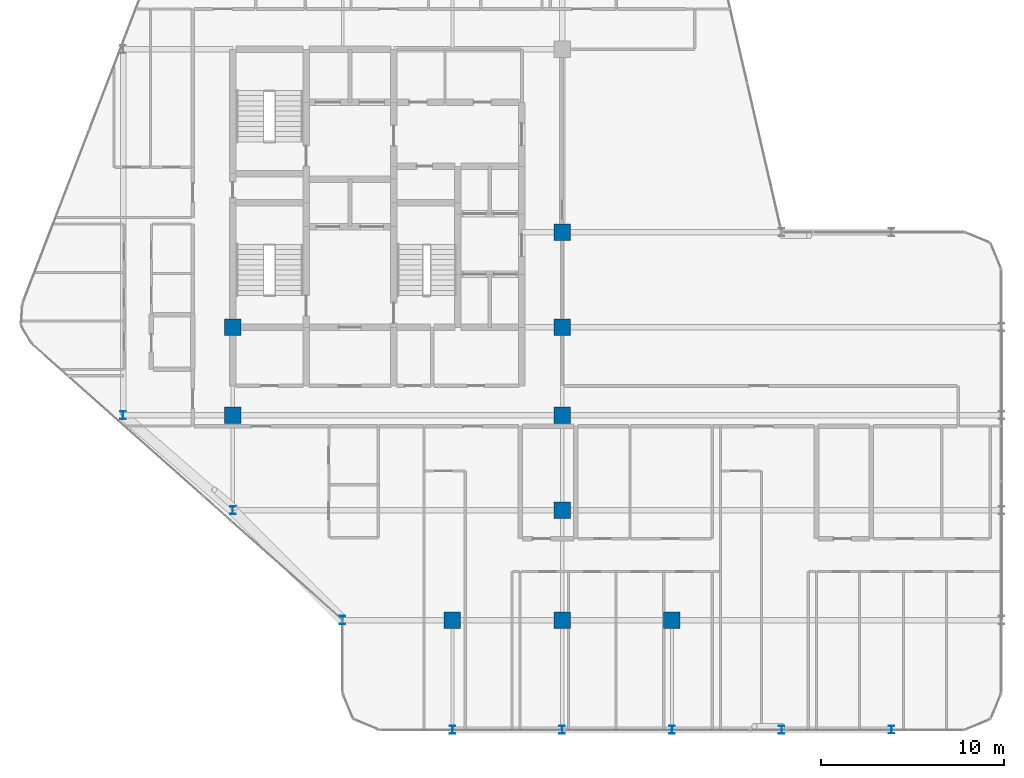
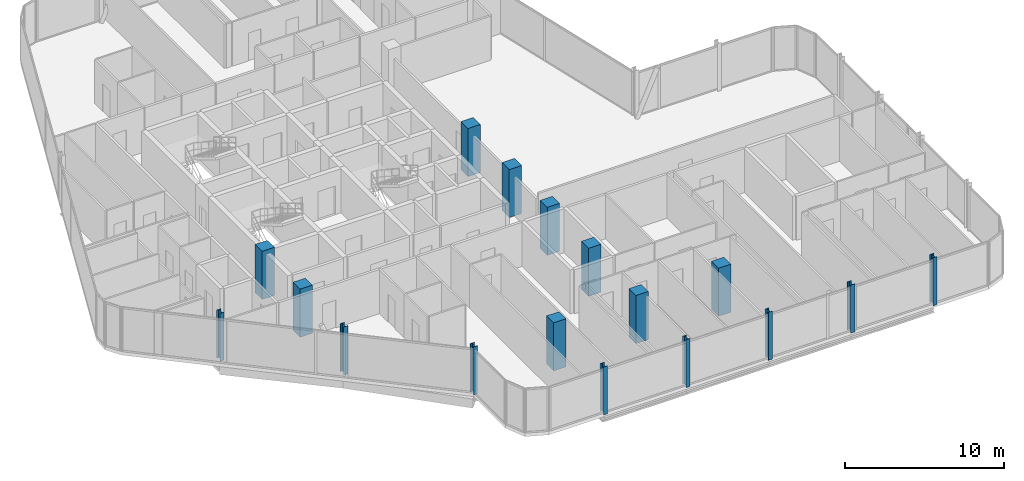
# One storey, part 1 of 29: 17 columns.
"""IFC4 building model written with IfcOpenShell, lengths in metres."""

from ifc_helpers import new_model, si_unit, direction, frame, origin, origin_2d, place, context, subcontext, project, spatial, rectangle, i_section, extrude, material, material_profile, profile_set, type_object, element, save


model = new_model("IFC4")

# Units and contexts
model_context = context("Model", 3, precision=1e-05, world=origin(), true_north=direction((0.0, 1.0)))
body_context = subcontext(model_context, "Body", "Model", "MODEL_VIEW")
ifc_project = project(units=[si_unit("LENGTHUNIT", "METRE"), si_unit("AREAUNIT", "SQUARE_METRE"), si_unit("VOLUMEUNIT", "CUBIC_METRE"), si_unit("PLANEANGLEUNIT", "RADIAN"), si_unit("MASSUNIT", "GRAM", prefix="KILO")], contexts=[model_context])

# Site, building, storey
site_placement = place(None, origin())
site = spatial("IfcSite", under=ifc_project, at=site_placement, CompositionType="ELEMENT")
building_placement = place(site_placement, origin())
building = spatial("IfcBuilding", under=site, at=building_placement, Name="Keshet Zoharim Tower", CompositionType="ELEMENT")
storey_placement = place(building_placement, frame((0.0, 0.0, 176.5)))
storey = spatial("IfcBuildingStorey", under=building, at=storey_placement, Name="L43", CompositionType="ELEMENT", Elevation=176.5)

# Columns
ifc_material_1 = material(Name="Steel S355", Category="steel")
ifc_material_profile_1 = material_profile(ifc_material_1, i_section(OverallWidth=0.300048828125, OverallDepth=0.449951171875, WebThickness=0.013916015625, FlangeThickness=0.02587890625, FilletRadius=0.027099609375, at=origin_2d()), Name="HEB450")
ifc_profile_set_1 = profile_set([ifc_material_profile_1], Name="Steel S355")
column_type_1 = type_object("IfcColumnType", Name="COL-HEB450", PredefinedType="COLUMN", material=ifc_profile_set_1)
for number, where, z_axis, x_axis, name in (
    (1, (9.0, 17.89990234375, 0.0), (0.0, 0.0, 1.0), (1.0, 0.0, 0.0), "L43 Column 2D"),
    (2, (15.0, 12.699951171875, 0.0), (0.0, 0.0, 1.0), (1.0, 0.0, 0.0), "L43 Column 3C"),
    (3, (21.0, 6.699951171875, 0.0), (0.0, 0.0, 1.0), (1.0, 0.0, 0.0), "L43 Column 4B"),
    (4, (27.0, 0.699951171875, 0.0), (0.0, 0.0, 1.0), (1.0, 0.0, 0.0), "L43 Column 5A"),
    (5, (33.0, 0.699951171875, 0.0), (0.0, 0.0, 1.0), (1.0, 0.0, 0.0), "L43 Column 6A"),
    (6, (39.0, 0.699951171875, 0.0), (0.0, 0.0, 1.0), (1.0, 0.0, 0.0), "L43 Column 7A"),
    (7, (45.0, 0.699951171875, 0.0), (0.0, 0.0, 1.0), (1.0, 0.0, 0.0), "L43 Column 8A"),
    (8, (51.0, 0.699951171875, 0.0), (0.0, 0.0, 1.0), (1.0, 0.0, 0.0), "L43 Column 9A"),
):
    element("IfcColumn", number, at=place(storey_placement, frame(where, z_axis=z_axis, x_axis=x_axis)), inside=storey, type_object=column_type_1, Name=name, PredefinedType="COLUMN", context=body_context, shape_type="SweptSolid", body=[
        extrude(i_section(OverallWidth=0.300048828125, OverallDepth=0.449951171875, WebThickness=0.013916015625, FlangeThickness=0.02587890625, FilletRadius=0.027099609375, at=origin_2d()), origin(), (0.0, 0.0, 1.0), 3.699951171875),
    ])
ifc_material_2 = material(Name="Concrete C60/75", Category="concrete")
ifc_material_profile_2 = material_profile(ifc_material_2, rectangle(XDim=0.89990234375, YDim=0.89990234375, at=origin_2d()), Name="RC900x900")
ifc_profile_set_2 = profile_set([ifc_material_profile_2], Name="Concrete C60/75")
column_type_2 = type_object("IfcColumnType", Name="COL-RC900", PredefinedType="COLUMN", material=ifc_profile_set_2)
for number, where, z_axis, x_axis, name in (
    (9, (15.0, 17.89990234375, 0.0), (0.0, 0.0, 1.0), (1.0, 0.0, 0.0), "L43 Column 3D"),
    (10, (15.0, 22.699951171875, 0.0), (0.0, 0.0, 1.0), (1.0, 0.0, 0.0), "L43 Column 3E"),
    (11, (27.0, 6.699951171875, 0.0), (0.0, 0.0, 1.0), (1.0, 0.0, 0.0), "L43 Column 5B"),
    (12, (33.0, 6.699951171875, 0.0), (0.0, 0.0, 1.0), (1.0, 0.0, 0.0), "L43 Column 6B"),
    (13, (33.0, 12.699951171875, 0.0), (0.0, 0.0, 1.0), (1.0, 0.0, 0.0), "L43 Column 6C"),
    (14, (33.0, 17.89990234375, 0.0), (0.0, 0.0, 1.0), (1.0, 0.0, 0.0), "L43 Column 6D"),
    (15, (33.0, 22.699951171875, 0.0), (0.0, 0.0, 1.0), (1.0, 0.0, 0.0), "L43 Column 6E"),
    (16, (33.0, 27.89990234375, 0.0), (0.0, 0.0, 1.0), (1.0, 0.0, 0.0), "L43 Column 6F"),
    (17, (39.0, 6.699951171875, 0.0), (0.0, 0.0, 1.0), (1.0, 0.0, 0.0), "L43 Column 7B"),
):
    element("IfcColumn", number, at=place(storey_placement, frame(where, z_axis=z_axis, x_axis=x_axis)), inside=storey, type_object=column_type_2, Name=name, PredefinedType="COLUMN", context=body_context, shape_type="SweptSolid", body=[
        extrude(rectangle(XDim=0.89990234375, YDim=0.89990234375, at=origin_2d()), origin(), (0.0, 0.0, 1.0), 3.699951171875),
    ])

save(model, "model.ifc")
